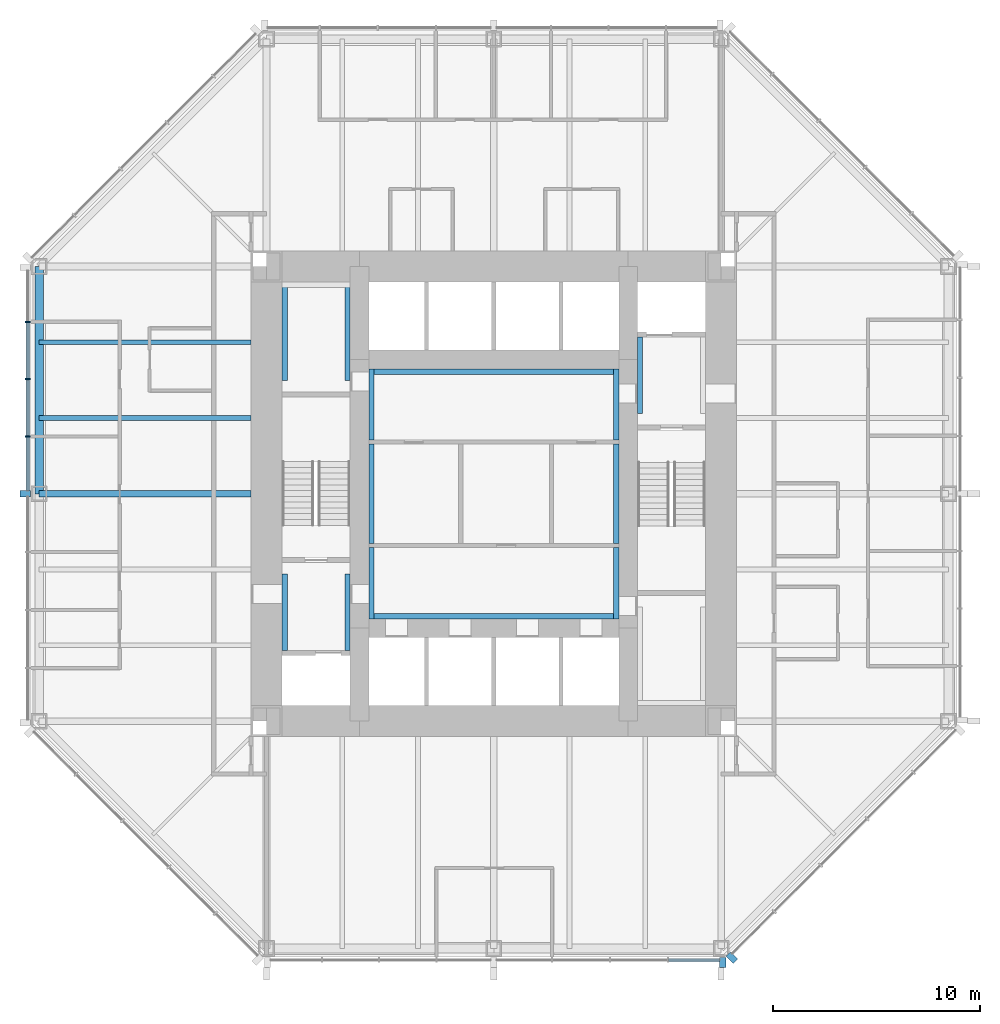
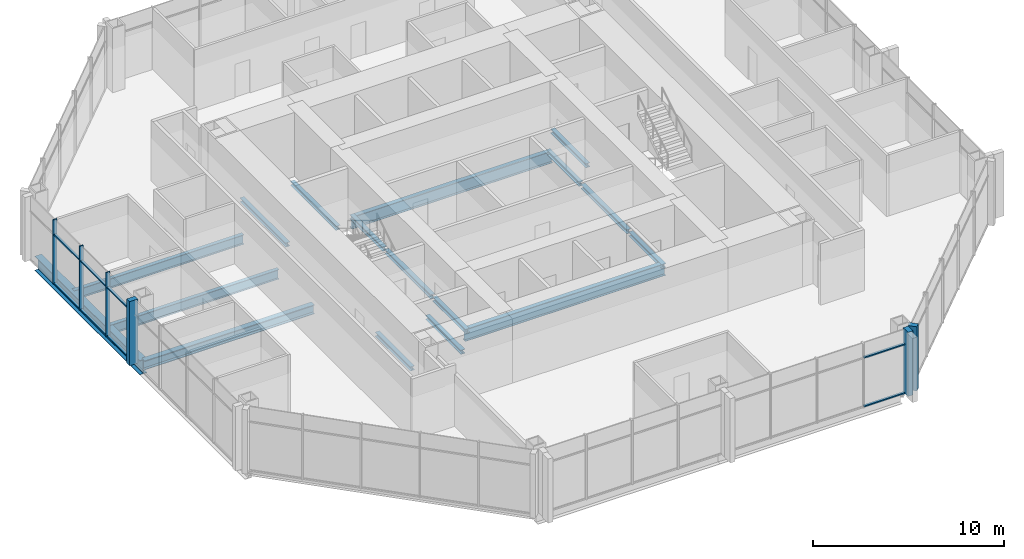
# One storey, part 3 of 12: 17 beams, 14 members, 3 elements without a shape of their own.
"""IFC4 building model written with IfcOpenShell, lengths in metres."""

from ifc_helpers import new_model, si_unit, direction, frame, origin, origin_2d, place, context, subcontext, project, spatial, rectangle, i_section, extrude, material, material_profile, profile_set, type_object, element, aggregate, save


model = new_model("IFC4")

# Units and contexts
model_context = context("Model", 3, precision=1e-05, world=origin(), true_north=direction((0.0, 1.0)))
body_context = subcontext(model_context, "Body", "Model", "MODEL_VIEW")
ifc_project = project(units=[si_unit("LENGTHUNIT", "METRE"), si_unit("AREAUNIT", "SQUARE_METRE"), si_unit("VOLUMEUNIT", "CUBIC_METRE"), si_unit("PLANEANGLEUNIT", "RADIAN"), si_unit("MASSUNIT", "GRAM", prefix="KILO")], contexts=[model_context])

# Site, building, storey
site_placement = place(None, origin())
site = spatial("IfcSite", under=ifc_project, at=site_placement, CompositionType="ELEMENT")
building_placement = place(site_placement, origin())
building = spatial("IfcBuilding", under=site, at=building_placement, Name="Trevanion Tower", CompositionType="ELEMENT")
storey_placement = place(building_placement, frame((0.0, 0.0, 129.5)))
storey = spatial("IfcBuildingStorey", under=building, at=storey_placement, Name="L30", CompositionType="ELEMENT", Elevation=129.5)

# Beams
ifc_material_1 = material(Name="Steel ASTM A992 Grade 50", Category="steel")
ifc_material_profile_1 = material_profile(ifc_material_1, i_section(OverallWidth=0.22900390625, OverallDepth=0.612060546875, WebThickness=0.011962890625, FlangeThickness=0.01953125, at=origin_2d()), Name="W24X84")
ifc_profile_set_1 = profile_set([ifc_material_profile_1], Name="Steel ASTM A992 Grade 50")
beam_type_1 = type_object("IfcBeamType", Name="B7 W24X84", PredefinedType="BEAM", material=ifc_profile_set_1)
for number, where, z_axis, x_axis, name in (
    (1, (-11.75, 7.333251953125, -0.49609375), (-1.0, 0.0, 0.0), (0.0, -1.0, 0.0), "B7 L30"),
    (2, (-11.75, 3.666748046875, -0.49609375), (-1.0, 0.0, 0.0), (0.0, -1.0, 0.0), "B7 L30"),
):
    element("IfcBeam", number, at=place(storey_placement, frame(where, z_axis=z_axis, x_axis=x_axis)), inside=storey, type_object=beam_type_1, Name=name, PredefinedType="BEAM", context=body_context, shape_type="SweptSolid", body=[
        extrude(i_section(OverallWidth=0.22900390625, OverallDepth=0.612060546875, WebThickness=0.011962890625, FlangeThickness=0.01953125, at=origin_2d()), origin(), (0.0, 0.0, 1.0), 10.25),
    ])

# Curtain wall, members
ifc_material_2 = material(Name="Aluminium and glass", Category="aluminium")
curtain_wall_type = type_object("IfcCurtainWallType", Name="CW2 curtain wall", PredefinedType="USERDEFINED", material=ifc_material_2)
curtain_wall_1_placement = place(storey_placement, origin())
curtain_wall_1 = element("IfcCurtainWall", 3, at=curtain_wall_1_placement, inside=storey, type_object=curtain_wall_type, Name="CW2 L30 4", ObjectType="UNITISED CURTAIN WALL", PredefinedType="USERDEFINED")
ifc_material_3 = material(Name="Aluminium extrusion, anodised bronze", Category="aluminium")
ifc_material_profile_2 = material_profile(ifc_material_3, rectangle(XDim=0.074951171875, YDim=0.25, at=origin_2d()), Name="CW2 mullion")
ifc_profile_set_2 = profile_set([ifc_material_profile_2], Name="Aluminium extrusion, anodised bronze")
member_type_1 = type_object("IfcMemberType", Name="CW2 mullion", PredefinedType="MULLION", material=ifc_profile_set_2)
member_1_placement = place(storey_placement, frame((-22.550048828125, 8.323486328125, -0.18994140625), z_axis=(0.0, 0.0, 1.0), x_axis=(0.0, -1.0, 0.0)))
member_1 = element("IfcMember", 4, at=member_1_placement, type_object=member_type_1, Name="CW2 mullion 2", PredefinedType="MULLION", context=body_context, shape_type="SweptSolid", body=[
    extrude(rectangle(XDim=0.074951171875, YDim=0.25, at=origin_2d()), origin(), (0.0, 0.0, 1.0), 4.099853515625),
])
member_2_placement = place(storey_placement, frame((-22.550048828125, 5.548828125, -0.18994140625), z_axis=(0.0, 0.0, 1.0), x_axis=(0.0, -1.0, 0.0)))
member_2 = element("IfcMember", 5, at=member_2_placement, type_object=member_type_1, Name="CW2 mullion 3", PredefinedType="MULLION", context=body_context, shape_type="SweptSolid", body=[
    extrude(rectangle(XDim=0.074951171875, YDim=0.25, at=origin_2d()), origin(), (0.0, 0.0, 1.0), 4.099853515625),
])
member_3_placement = place(storey_placement, frame((-22.550048828125, 2.7744140625, -0.18994140625), z_axis=(0.0, 0.0, 1.0), x_axis=(0.0, -1.0, 0.0)))
member_3 = element("IfcMember", 6, at=member_3_placement, type_object=member_type_1, Name="CW2 mullion 4", PredefinedType="MULLION", context=body_context, shape_type="SweptSolid", body=[
    extrude(rectangle(XDim=0.074951171875, YDim=0.25, at=origin_2d()), origin(), (0.0, 0.0, 1.0), 4.099853515625),
])
ifc_material_4 = material(Name="Aluminium extrusion, anodised bronze", Category="aluminium")
ifc_material_profile_3 = material_profile(ifc_material_4, rectangle(XDim=0.300048828125, YDim=0.5, at=origin_2d()), Name="CW2 pier mullion")
ifc_profile_set_3 = profile_set([ifc_material_profile_3], Name="Aluminium extrusion, anodised bronze")
member_type_2 = type_object("IfcMemberType", Name="CW2 pier mullion", PredefinedType="MULLION", material=ifc_profile_set_3)
member_4_placement = place(storey_placement, frame((-22.675048828125, 0.0, -0.18994140625), z_axis=(0.0, 0.0, 1.0), x_axis=(0.0, -1.0, 0.0)))
member_4 = element("IfcMember", 7, at=member_4_placement, type_object=member_type_2, Name="CW2 pier mullion 5", PredefinedType="MULLION", context=body_context, shape_type="SweptSolid", body=[
    extrude(rectangle(XDim=0.300048828125, YDim=0.5, at=origin_2d()), origin(), (0.0, 0.0, 1.0), 4.099853515625),
])

# Curtain wall, member
curtain_wall_2_placement = place(storey_placement, origin())
curtain_wall_2 = element("IfcCurtainWall", 8, at=curtain_wall_2_placement, inside=storey, type_object=curtain_wall_type, Name="CW2 L30 6", ObjectType="UNITISED CURTAIN WALL", PredefinedType="USERDEFINED")
member_5_placement = place(storey_placement, frame((11.077880859375, -22.675048828125, -0.18994140625), z_axis=(0.0, 0.0, 1.0), x_axis=(1.0, 0.0, 0.0)))
member_5 = element("IfcMember", 9, at=member_5_placement, type_object=member_type_2, Name="CW2 pier mullion 9", PredefinedType="MULLION", context=body_context, shape_type="SweptSolid", body=[
    extrude(rectangle(XDim=0.300048828125, YDim=0.5, at=origin_2d()), origin(), (0.0, 0.0, 1.0), 4.099853515625),
])

curtain_wall_3_placement = place(storey_placement, origin())
curtain_wall_3 = element("IfcCurtainWall", 10, at=curtain_wall_3_placement, inside=storey, type_object=curtain_wall_type, Name="CW2 L30 7", ObjectType="UNITISED CURTAIN WALL", PredefinedType="USERDEFINED")
member_6_placement = place(storey_placement, frame((11.51416015625, -22.4404296875, -0.18994140625), z_axis=(0.0, 0.0, 1.0), x_axis=(0.707106781187, 0.707106781187, 0.0)))
member_6 = element("IfcMember", 11, at=member_6_placement, type_object=member_type_2, Name="CW2 pier mullion 1", PredefinedType="MULLION", context=body_context, shape_type="SweptSolid", body=[
    extrude(rectangle(XDim=0.300048828125, YDim=0.5, at=origin_2d()), origin(), (0.0, 0.0, 1.0), 4.099853515625),
])
aggregate(curtain_wall_3, [member_6])

# Member
ifc_material_5 = material(Name="Aluminium extrusion, anodised bronze", Category="aluminium")
ifc_material_profile_4 = material_profile(ifc_material_5, rectangle(XDim=0.14990234375, YDim=0.074951171875, at=origin_2d()), Name="CW2 transom")
ifc_profile_set_4 = profile_set([ifc_material_profile_4], Name="Aluminium extrusion, anodised bronze")
member_type_3 = type_object("IfcMemberType", Name="CW2 transom", PredefinedType="USERDEFINED", material=ifc_profile_set_4)
member_7_placement = place(storey_placement, frame((-22.550048828125, 8.285888671875, -0.152587890625), z_axis=(0.0, -1.0, 0.0), x_axis=(1.0, 0.0, 0.0)))
member_7 = element("IfcMember", 12, at=member_7_placement, type_object=member_type_3, Name="CW2 transom 2.1", ObjectType="TRANSOM", PredefinedType="USERDEFINED", context=body_context, shape_type="SweptSolid", body=[
    extrude(rectangle(XDim=0.14990234375, YDim=0.074951171875, at=origin_2d()), origin(), (0.0, 0.0, 1.0), 2.699462890625),
])

member_8_placement = place(storey_placement, frame((-22.550048828125, 8.285888671875, 2.9599609375), z_axis=(0.0, -1.0, 0.0), x_axis=(1.0, 0.0, 0.0)))
member_8 = element("IfcMember", 13, at=member_8_placement, type_object=member_type_3, Name="CW2 transom 2.2", ObjectType="TRANSOM", PredefinedType="USERDEFINED", context=body_context, shape_type="SweptSolid", body=[
    extrude(rectangle(XDim=0.14990234375, YDim=0.074951171875, at=origin_2d()), origin(), (0.0, 0.0, 1.0), 2.699462890625),
])

member_9_placement = place(storey_placement, frame((-22.550048828125, 5.511474609375, -0.152587890625), z_axis=(0.0, -1.0, 0.0), x_axis=(1.0, 0.0, 0.0)))
member_9 = element("IfcMember", 14, at=member_9_placement, type_object=member_type_3, Name="CW2 transom 3.1", ObjectType="TRANSOM", PredefinedType="USERDEFINED", context=body_context, shape_type="SweptSolid", body=[
    extrude(rectangle(XDim=0.14990234375, YDim=0.074951171875, at=origin_2d()), origin(), (0.0, 0.0, 1.0), 2.699462890625),
])

member_10_placement = place(storey_placement, frame((-22.550048828125, 5.511474609375, 2.9599609375), z_axis=(0.0, -1.0, 0.0), x_axis=(1.0, 0.0, 0.0)))
member_10 = element("IfcMember", 15, at=member_10_placement, type_object=member_type_3, Name="CW2 transom 3.2", ObjectType="TRANSOM", PredefinedType="USERDEFINED", context=body_context, shape_type="SweptSolid", body=[
    extrude(rectangle(XDim=0.14990234375, YDim=0.074951171875, at=origin_2d()), origin(), (0.0, 0.0, 1.0), 2.699462890625),
])

member_11_placement = place(storey_placement, frame((-22.550048828125, 2.737060546875, -0.152587890625), z_axis=(0.0, -1.0, 0.0), x_axis=(1.0, 0.0, 0.0)))
member_11 = element("IfcMember", 16, at=member_11_placement, type_object=member_type_3, Name="CW2 transom 4.1", ObjectType="TRANSOM", PredefinedType="USERDEFINED", context=body_context, shape_type="SweptSolid", body=[
    extrude(rectangle(XDim=0.14990234375, YDim=0.074951171875, at=origin_2d()), origin(), (0.0, 0.0, 1.0), 2.587158203125),
])

member_12_placement = place(storey_placement, frame((-22.550048828125, 2.737060546875, 2.9599609375), z_axis=(0.0, -1.0, 0.0), x_axis=(1.0, 0.0, 0.0)))
member_12 = element("IfcMember", 17, at=member_12_placement, type_object=member_type_3, Name="CW2 transom 4.2", ObjectType="TRANSOM", PredefinedType="USERDEFINED", context=body_context, shape_type="SweptSolid", body=[
    extrude(rectangle(XDim=0.14990234375, YDim=0.074951171875, at=origin_2d()), origin(), (0.0, 0.0, 1.0), 2.587158203125),
])

aggregate(curtain_wall_1, [member_1, member_2, member_3, member_4, member_7, member_8, member_9, member_10, member_11, member_12])

member_13_placement = place(storey_placement, frame((8.45849609375, -22.550048828125, -0.152587890625), z_axis=(1.0, 0.0, 0.0), x_axis=(0.0, 1.0, 0.0)))
member_13 = element("IfcMember", 18, at=member_13_placement, type_object=member_type_3, Name="CW2 transom 8.1", ObjectType="TRANSOM", PredefinedType="USERDEFINED", context=body_context, shape_type="SweptSolid", body=[
    extrude(rectangle(XDim=0.14990234375, YDim=0.074951171875, at=origin_2d()), origin(), (0.0, 0.0, 1.0), 2.46923828125),
])

member_14_placement = place(storey_placement, frame((8.45849609375, -22.550048828125, 2.9599609375), z_axis=(1.0, 0.0, 0.0), x_axis=(0.0, 1.0, 0.0)))
member_14 = element("IfcMember", 19, at=member_14_placement, type_object=member_type_3, Name="CW2 transom 8.2", ObjectType="TRANSOM", PredefinedType="USERDEFINED", context=body_context, shape_type="SweptSolid", body=[
    extrude(rectangle(XDim=0.14990234375, YDim=0.074951171875, at=origin_2d()), origin(), (0.0, 0.0, 1.0), 2.46923828125),
])

aggregate(curtain_wall_2, [member_5, member_13, member_14])

# Beams
ifc_material_6 = material(Name="Steel ASTM A992 Grade 50", Category="steel")
ifc_material_profile_5 = material_profile(ifc_material_6, i_section(OverallWidth=0.320068359375, OverallDepth=0.584228515625, WebThickness=0.023193359375, FlangeThickness=0.04150390625, at=origin_2d()), Name="W21X201")
ifc_profile_set_5 = profile_set([ifc_material_profile_5], Name="Steel ASTM A992 Grade 50")
beam_type_2 = type_object("IfcBeamType", Name="G4 W21X201", PredefinedType="BEAM", material=ifc_profile_set_5)
beam_1_placement = place(storey_placement, frame((-11.75, 0.0, -0.482177734375), z_axis=(-1.0, 0.0, 0.0), x_axis=(0.0, -1.0, 0.0)))
element("IfcBeam", 20, at=beam_1_placement, inside=storey, type_object=beam_type_2, Name="G4 L30", PredefinedType="BEAM", context=body_context, shape_type="SweptSolid", body=[
    extrude(i_section(OverallWidth=0.320068359375, OverallDepth=0.584228515625, WebThickness=0.023193359375, FlangeThickness=0.04150390625, at=origin_2d()), origin(), (0.0, 0.0, 1.0), 10.25),
])
ifc_material_7 = material(Name="Steel ASTM A992 Grade 50", Category="steel")
ifc_material_profile_6 = material_profile(ifc_material_7, i_section(OverallWidth=0.256591796875, OverallDepth=0.26416015625, WebThickness=0.011962890625, FlangeThickness=0.01953125, at=origin_2d()), Name="W10X68")
ifc_profile_set_6 = profile_set([ifc_material_profile_6], Name="Steel ASTM A992 Grade 50")
beam_type_3 = type_object("IfcBeamType", Name="LB1 W10X68", PredefinedType="BEAM", material=ifc_profile_set_6)
for number, where, z_axis, x_axis, name in (
    (21, (-5.921630859375, 2.60009765625, -0.33203125), (0.0, 1.0, 0.0), (-1.0, 0.0, 0.0), "LB1 L30"),
    (22, (5.921630859375, 2.60009765625, -0.33203125), (0.0, 1.0, 0.0), (-1.0, 0.0, 0.0), "LB1 L30"),
    (23, (-5.921630859375, -6.050048828125, -0.33203125), (0.0, 1.0, 0.0), (-1.0, 0.0, 0.0), "LB1 L30"),
    (24, (5.921630859375, -6.050048828125, -0.33203125), (0.0, 1.0, 0.0), (-1.0, 0.0, 0.0), "LB1 L30"),
):
    element("IfcBeam", number, at=place(storey_placement, frame(where, z_axis=z_axis, x_axis=x_axis)), inside=storey, type_object=beam_type_3, Name=name, PredefinedType="BEAM", context=body_context, shape_type="SweptSolid", body=[
        extrude(i_section(OverallWidth=0.256591796875, OverallDepth=0.26416015625, WebThickness=0.011962890625, FlangeThickness=0.01953125, at=origin_2d()), origin(), (0.0, 0.0, 1.0), 3.449951171875),
    ])
for number, where, z_axis, x_axis, name in (
    (25, (7.078369140625, 3.875, -0.33203125), (0.0, 1.0, 0.0), (-1.0, 0.0, 0.0), "LB1 L30"),
    (26, (-10.12158203125, -7.574951171875, -0.33203125), (0.0, 1.0, 0.0), (-1.0, 0.0, 0.0), "LB1 L30"),
    (27, (-7.078369140625, -7.574951171875, -0.33203125), (0.0, 1.0, 0.0), (-1.0, 0.0, 0.0), "LB1 L30"),
):
    element("IfcBeam", number, at=place(storey_placement, frame(where, z_axis=z_axis, x_axis=x_axis)), inside=storey, type_object=beam_type_3, Name=name, PredefinedType="BEAM", context=body_context, shape_type="SweptSolid", body=[
        extrude(i_section(OverallWidth=0.256591796875, OverallDepth=0.26416015625, WebThickness=0.011962890625, FlangeThickness=0.01953125, at=origin_2d()), origin(), (0.0, 0.0, 1.0), 3.699951171875),
    ])
for number, where, z_axis, x_axis, name in (
    (28, (-10.12158203125, 5.47509765625, -0.33203125), (0.0, 1.0, 0.0), (-1.0, 0.0, 0.0), "LB1 L30"),
    (29, (-7.078369140625, 5.47509765625, -0.33203125), (0.0, 1.0, 0.0), (-1.0, 0.0, 0.0), "LB1 L30"),
):
    element("IfcBeam", number, at=place(storey_placement, frame(where, z_axis=z_axis, x_axis=x_axis)), inside=storey, type_object=beam_type_3, Name=name, PredefinedType="BEAM", context=body_context, shape_type="SweptSolid", body=[
        extrude(i_section(OverallWidth=0.256591796875, OverallDepth=0.26416015625, WebThickness=0.011962890625, FlangeThickness=0.01953125, at=origin_2d()), origin(), (0.0, 0.0, 1.0), 4.77490234375),
    ])
for number, where, z_axis, x_axis, name in (
    (30, (-5.921630859375, -2.39990234375, -0.33203125), (0.0, 1.0, 0.0), (-1.0, 0.0, 0.0), "LB1 L30"),
    (31, (5.921630859375, -2.39990234375, -0.33203125), (0.0, 1.0, 0.0), (-1.0, 0.0, 0.0), "LB1 L30"),
):
    element("IfcBeam", number, at=place(storey_placement, frame(where, z_axis=z_axis, x_axis=x_axis)), inside=storey, type_object=beam_type_3, Name=name, PredefinedType="BEAM", context=body_context, shape_type="SweptSolid", body=[
        extrude(i_section(OverallWidth=0.256591796875, OverallDepth=0.26416015625, WebThickness=0.011962890625, FlangeThickness=0.01953125, at=origin_2d()), origin(), (0.0, 0.0, 1.0), 4.7998046875),
    ])
ifc_material_8 = material(Name="Steel ASTM A992 Grade 50", Category="steel")
ifc_material_profile_7 = material_profile(ifc_material_8, i_section(OverallWidth=0.2666015625, OverallDepth=0.76953125, WebThickness=0.015625, FlangeThickness=0.025390625, at=origin_2d()), Name="W30X132")
ifc_profile_set_7 = profile_set([ifc_material_profile_7], Name="Steel ASTM A992 Grade 50")
beam_type_4 = type_object("IfcBeamType", Name="LB3 W30X132", PredefinedType="BEAM", material=ifc_profile_set_7)
for number, where, z_axis, x_axis, name in (
    (32, (-6.050048828125, 5.91650390625, -0.584716796875), (1.0, 0.0, 0.0), (0.0, 1.0, 0.0), "LB3 L30"),
    (33, (-6.050048828125, -5.91650390625, -0.584716796875), (1.0, 0.0, 0.0), (0.0, 1.0, 0.0), "LB3 L30"),
):
    element("IfcBeam", number, at=place(storey_placement, frame(where, z_axis=z_axis, x_axis=x_axis)), inside=storey, type_object=beam_type_4, Name=name, PredefinedType="BEAM", context=body_context, shape_type="SweptSolid", body=[
        extrude(i_section(OverallWidth=0.2666015625, OverallDepth=0.76953125, WebThickness=0.015625, FlangeThickness=0.025390625, at=origin_2d()), origin(), (0.0, 0.0, 1.0), 12.10009765625),
    ])
ifc_material_9 = material(Name="Steel ASTM A992 Grade 50", Category="steel")
ifc_material_profile_8 = material_profile(ifc_material_9, i_section(OverallWidth=0.419189453125, OverallDepth=0.927001953125, WebThickness=0.019287109375, FlangeThickness=0.031982421875, at=origin_2d()), Name="W36X231")
ifc_profile_set_8 = profile_set([ifc_material_profile_8], Name="Steel ASTM A992 Grade 50")
beam_type_5 = type_object("IfcBeamType", Name="SB4 W36X231", PredefinedType="SPANDREL", material=ifc_profile_set_8)
beam_2_placement = place(storey_placement, frame((-22.0, 11.0, -0.653564453125), z_axis=(0.0, -1.0, 0.0), x_axis=(1.0, 0.0, 0.0)))
element("IfcBeam", 34, at=beam_2_placement, inside=storey, type_object=beam_type_5, Name="SB4 L30", PredefinedType="SPANDREL", context=body_context, shape_type="SweptSolid", body=[
    extrude(i_section(OverallWidth=0.419189453125, OverallDepth=0.927001953125, WebThickness=0.019287109375, FlangeThickness=0.031982421875, at=origin_2d()), origin(), (0.0, 0.0, 1.0), 11.0),
])

save(model, "model.ifc")
